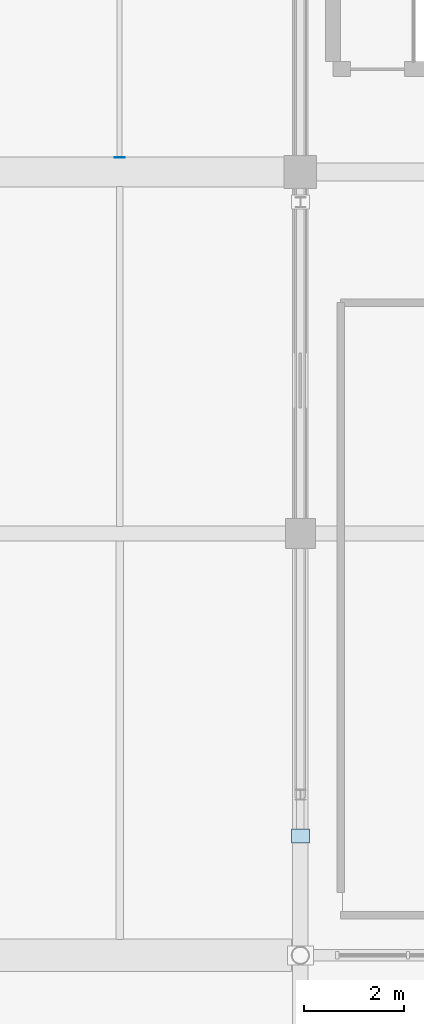
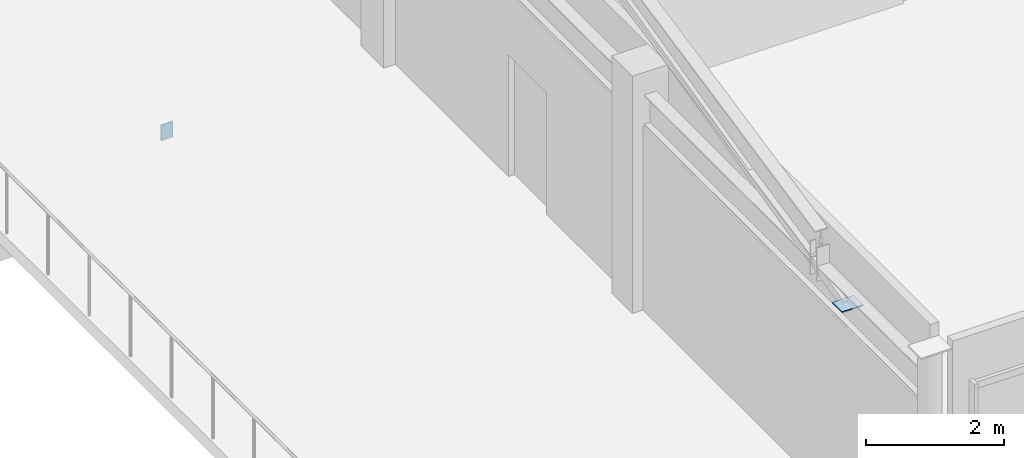
# One storey, part 24 of 41: 2 plates.
"""IFC4 building model written with IfcOpenShell, lengths in metres."""

from ifc_helpers import new_model, si_unit, direction, frame, origin, origin_2d, place, context, subcontext, project, spatial, rectangle, extrude, material, layer, layer_set, type_object, element, save


model = new_model("IFC4")

# Units and contexts
model_context = context("Model", 3, precision=1e-05, world=origin(), true_north=direction((0.0, 1.0)))
body_context = subcontext(model_context, "Body", "Model", "MODEL_VIEW")
ifc_project = project(units=[si_unit("LENGTHUNIT", "METRE"), si_unit("AREAUNIT", "SQUARE_METRE"), si_unit("VOLUMEUNIT", "CUBIC_METRE"), si_unit("PLANEANGLEUNIT", "RADIAN"), si_unit("MASSUNIT", "GRAM", prefix="KILO")], contexts=[model_context])

# Site, building, storey
site_placement = place(None, origin())
site = spatial("IfcSite", under=ifc_project, at=site_placement, CompositionType="ELEMENT")
building_placement = place(site_placement, origin())
building = spatial("IfcBuilding", under=site, at=building_placement, Name="Solanera Park Tramway Depot", CompositionType="ELEMENT")
storey_placement = place(building_placement, frame((0.0, 0.0, 13.199951171875)))
storey = spatial("IfcBuildingStorey", under=building, at=storey_placement, Name="L03", CompositionType="ELEMENT", Elevation=13.199951171875)

# Plates
ifc_material_1 = material(Name="Steel AS/NZS 3679.1 Grade 350", Category="steel")
ifc_layer_1 = layer(ifc_material_1, 0.013916015625)
ifc_layer_set_1 = layer_set([ifc_layer_1], Name="Steel AS/NZS 3679.1 Grade 350")
plate_type_1 = type_object("IfcPlateType", Name="Hollow End Cap and Base Plate 280x200x14", PredefinedType="USERDEFINED", material=ifc_layer_set_1)
plate_1_placement = place(storey_placement, frame((111.60009765625, 18.2890625, -0.47412109375), z_axis=(0.0, 0.0, 1.0), x_axis=(0.0, 1.0, 0.0)))
element("IfcPlate", 1, at=plate_1_placement, inside=storey, type_object=plate_type_1, Name="Hollow Section Welded End Cap Plate #0058", ObjectType="BASE PLATE", PredefinedType="USERDEFINED", context=body_context, shape_type="SweptSolid", body=[
    extrude(rectangle(XDim=0.013916015625, YDim=0.199951171875, at=origin_2d()), origin(), (0.0, 0.0, 1.0), 0.280029296875),
])
ifc_material_2 = material(Name="Steel AS/NZS 3679.1 Grade 350", Category="steel")
ifc_layer_2 = layer(ifc_material_2, 0.01806640625)
ifc_layer_set_2 = layer_set([ifc_layer_2], Name="Steel AS/NZS 3679.1 Grade 350")
plate_type_2 = type_object("IfcPlateType", Name="Hollow End Cap and Base Plate 360x280x18", PredefinedType="USERDEFINED", material=ifc_layer_set_2)
plate_2_placement = place(storey_placement, frame((115.199951171875, 4.780029296875, 3.5244140625), z_axis=(0.0, 0.0, 1.0), x_axis=(1.0, 0.0, 0.0)))
element("IfcPlate", 2, at=plate_2_placement, inside=storey, type_object=plate_type_2, Name="Hip Truss Web Sealed Cap Plate #1128", ObjectType="BASE PLATE", PredefinedType="USERDEFINED", context=body_context, shape_type="SweptSolid", body=[
    extrude(rectangle(XDim=0.360107421875, YDim=0.280029296875, at=origin_2d()), origin(), (0.0, 0.0, 1.0), 0.01806640625),
])

save(model, "model.ifc")
